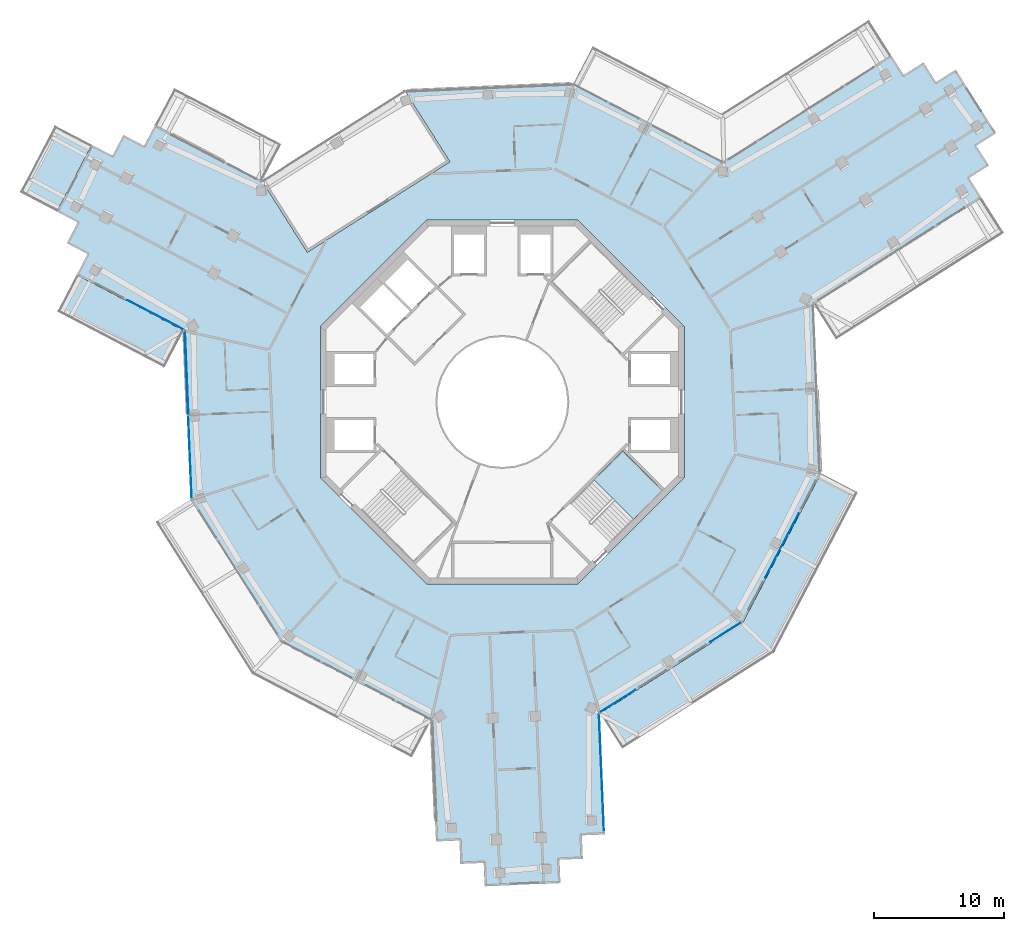
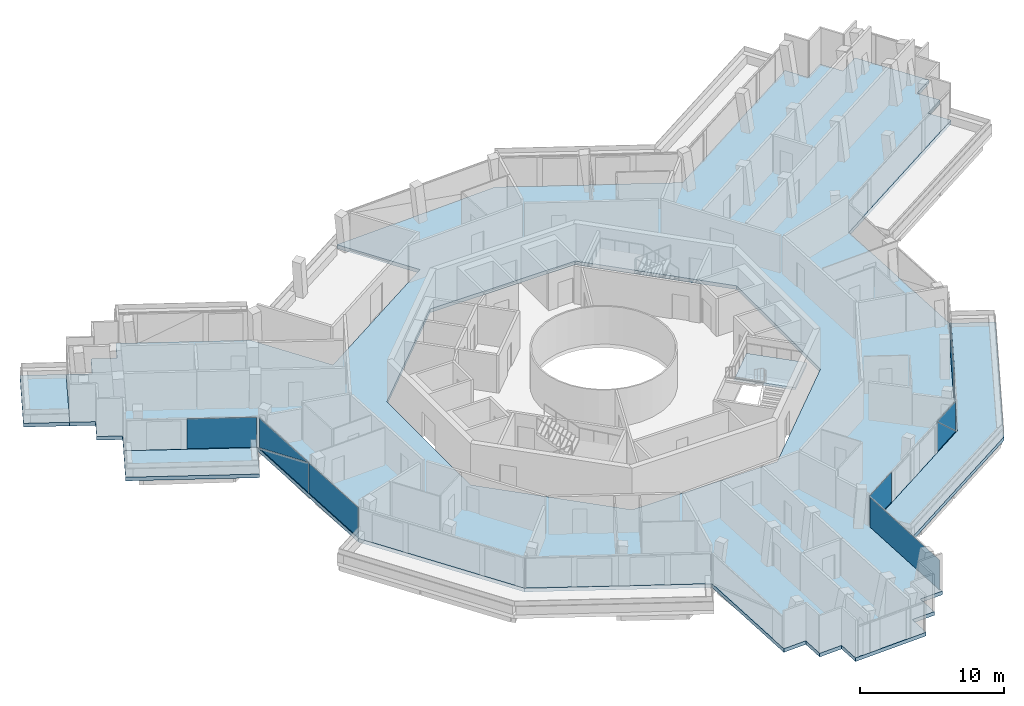
# One storey, part 11 of 23: 9 plates, 5 slabs, 6 elements without a shape of their own.
"""IFC4 building model written with IfcOpenShell, lengths in metres."""

import ifcopenshell
import ifcopenshell.guid

model = None  # the IFC model being written
_history = None  # IfcOwnerHistory: only IFC2X3 demands one
_inside = {}  # id of a spatial element -> (the spatial element, [elements in it])
_under = {}  # id of a project, library or spatial element -> (it, [spatial elements below it])
_declared = {}  # id of a project -> (the project, [libraries it declares])
_typed = {}  # id of a type object -> (the type object, [elements of that type])
_made_of = {}  # id of a material, layer set ... -> (it, [elements and type objects made of it])


def new_model(schema):
    """Start an empty IFC model of exactly this schema.

    Asked for "IFC4X3", IfcOpenShell would pick the latest addendum, in which some entities
    have other attributes; the version numbers below select the first issue.
    IFC2X3 requires an IfcOwnerHistory on every rooted entity: one is made here for all.
    """
    global model, _history
    if schema == "IFC4X3":
        model = ifcopenshell.file(schema_version=(4, 3, 0, 0))
    else:
        model = ifcopenshell.file(schema=schema)
    _inside.clear()
    _under.clear()
    _declared.clear()
    _typed.clear()
    _made_of.clear()
    _history = None
    if model.schema == "IFC2X3":
        org = make("IfcOrganization", Name="unknown")
        user = make(
            "IfcPersonAndOrganization",
            ThePerson=make("IfcPerson", FamilyName="unknown"),
            TheOrganization=org,
        )
        app = make(
            "IfcApplication",
            ApplicationDeveloper=org,
            Version="unknown",
            ApplicationFullName="unknown",
            ApplicationIdentifier="unknown",
        )
        _history = make(
            "IfcOwnerHistory",
            OwningUser=user,
            OwningApplication=app,
            ChangeAction="ADDED",
            CreationDate=0,
        )
    return model


def make(cls, **values):
    """One entity of the class cls with the attributes given. An attribute that is None is left unset."""
    return model.create_entity(
        cls, **{name: value for name, value in values.items() if value is not None}
    )


def rooted(cls, **values):
    """An entity with a GlobalId (a new one), such as an element, a storey or a relation."""
    return make(cls, GlobalId=ifcopenshell.guid.new(), OwnerHistory=_history, **values)


def si_unit(unit_type, name, prefix=None):
    """IfcSIUnit, for example si_unit("LENGTHUNIT", "METRE", prefix="MILLI")."""
    return make("IfcSIUnit", UnitType=unit_type, Prefix=prefix, Name=name)


def assignment(units):
    """IfcUnitAssignment: the units of a project."""
    return None if units is None else make("IfcUnitAssignment", Units=units)


def point(xyz):
    """IfcCartesianPoint."""
    return None if xyz is None else make("IfcCartesianPoint", Coordinates=xyz)


def direction(xyz):
    """IfcDirection."""
    return None if xyz is None else make("IfcDirection", DirectionRatios=xyz)


def frame(location, z_axis=None, x_axis=None):
    """IfcAxis2Placement3D, a coordinate frame: its origin and axes. An axis left out is left unset."""
    return make(
        "IfcAxis2Placement3D",
        Location=point(location),
        Axis=direction(z_axis),
        RefDirection=direction(x_axis),
    )


def frame_2d(location, x_axis=None):
    """IfcAxis2Placement2D, a coordinate frame in the plane: its origin and x axis."""
    return make(
        "IfcAxis2Placement2D", Location=point(location), RefDirection=direction(x_axis)
    )


def origin():
    """The frame at (0, 0, 0) with its axes left unset."""
    return frame((0.0, 0.0, 0.0))


def origin_2d():
    """The frame at (0, 0) in the plane with its x axis left unset."""
    return frame_2d((0.0, 0.0))


def place(relative_to, where):
    """IfcLocalPlacement: puts the frame where relative to a parent placement (None: the world)."""
    return make(
        "IfcLocalPlacement", PlacementRelTo=relative_to, RelativePlacement=where
    )


def context(
    kind, dimensions, precision=None, world=None, true_north=None, identifier=None
):
    """IfcGeometricRepresentationContext, for example the 3D "Model" context."""
    return make(
        "IfcGeometricRepresentationContext",
        ContextIdentifier=identifier,
        ContextType=kind,
        CoordinateSpaceDimension=dimensions,
        Precision=precision,
        WorldCoordinateSystem=world,
        TrueNorth=true_north,
    )


def subcontext(parent, identifier, kind, view, scale=None):
    """IfcGeometricRepresentationSubContext, for example "Body" below "Model"."""
    return make(
        "IfcGeometricRepresentationSubContext",
        ContextIdentifier=identifier,
        ContextType=kind,
        ParentContext=parent,
        TargetScale=scale,
        TargetView=view,
    )


def project(units=None, contexts=None):
    """IfcProject with its units and contexts."""
    return rooted(
        "IfcProject",
        Name="project",
        RepresentationContexts=contexts,
        UnitsInContext=assignment(units),
    )


def spatial(cls, under=None, at=None, **own):
    """A site, building, storey or space (cls), placed at a placement, below another one or the project."""
    s = rooted(cls, ObjectPlacement=at, **own)
    if under is not None:
        _under.setdefault(under.id(), (under, []))[1].append(s)
    return s


def polyline(points):
    """IfcPolyline through the points."""
    return make("IfcPolyline", Points=[point(p) for p in points])


def profile(cls, at=None, kind="AREA", **sizes):
    """A parametric profile (cls). Its sizes go by their IFC names, for example OverallWidth=200.0."""
    return make(cls, ProfileType=kind, Position=at, **sizes)


def rectangle(**sizes):
    """IfcRectangleProfileDef."""
    return profile("IfcRectangleProfileDef", **sizes)


def outline(outer, holes=None, kind="AREA"):
    """IfcArbitraryClosedProfileDef: a profile drawn as a closed curve; with holes, ...WithVoids."""
    if holes is None:
        return make("IfcArbitraryClosedProfileDef", ProfileType=kind, OuterCurve=outer)
    return make(
        "IfcArbitraryProfileDefWithVoids",
        ProfileType=kind,
        OuterCurve=outer,
        InnerCurves=holes,
    )


def extrude(swept, where, along, depth):
    """IfcExtrudedAreaSolid: the profile swept, set in the frame where, extruded along a direction by depth."""
    return make(
        "IfcExtrudedAreaSolid",
        SweptArea=swept,
        Position=where,
        ExtrudedDirection=direction(along),
        Depth=depth,
    )


def shape(context_of_items, identifier, shape_type, items):
    """IfcShapeRepresentation: the items that make up one representation, for example the "Body"."""
    return make(
        "IfcShapeRepresentation",
        ContextOfItems=context_of_items,
        RepresentationIdentifier=identifier,
        RepresentationType=shape_type,
        Items=items,
    )


def material(Name=None, Category=None):
    """IfcMaterial."""
    return make("IfcMaterial", Name=Name, Category=Category)


def layer(
    of_material, thickness, ventilated=None, Name=None, Category=None, Priority=None
):
    """IfcMaterialLayer: one layer of a wall or slab, of a material (None: an air gap)."""
    return make(
        "IfcMaterialLayer",
        Material=of_material,
        LayerThickness=thickness,
        IsVentilated=ventilated,
        Name=Name,
        Category=Category,
        Priority=Priority,
    )


def layer_set(layers, Name=None):
    """IfcMaterialLayerSet."""
    return make("IfcMaterialLayerSet", MaterialLayers=layers, LayerSetName=Name)


def made_of(thing, what):
    """Note that an element or type object is made of a material, layer set ...; save() writes the relation."""
    if what is not None:
        _made_of.setdefault(what.id(), (what, []))[1].append(thing)
    return thing


def type_object(cls, material=None, **own):
    """A type object (cls), such as IfcWallType, which elements share."""
    return made_of(rooted(cls, **own), material)


def element(
    cls,
    number,
    at=None,
    inside=None,
    cuts=None,
    type_object=None,
    material=None,
    context=None,
    identifier="Body",
    shape_type=None,
    held_by="IfcProductDefinitionShape",
    body=None,
    shapes=None,
    **own,
):
    """One element of the class cls, such as IfcWall. Its Tag is "e" and its number.

    at: its placement. inside: the storey or other place that contains it. cuts: it is an
    opening in that element (IfcRelVoidsElement). A single representation is given by context,
    identifier, shape_type and body (its items); several are given by shapes. held_by: the class
    of the entity that holds the representations. save() writes the other relations.
    """
    e = rooted(cls, Tag="e%d" % number, ObjectPlacement=at, **own)
    if body is not None:
        shapes = [shape(context, identifier, shape_type, body)]
    if shapes is not None:
        e.Representation = make(held_by, Representations=shapes)
    if inside is not None:
        _inside.setdefault(inside.id(), (inside, []))[1].append(e)
    if cuts is not None:
        rooted(
            "IfcRelVoidsElement", RelatingBuildingElement=cuts, RelatedOpeningElement=e
        )
    if type_object is not None:
        _typed.setdefault(type_object.id(), (type_object, []))[1].append(e)
    return made_of(e, material)


def aggregate(whole, parts):
    """IfcRelAggregates: a whole, such as a stair, and the parts it consists of."""
    return rooted("IfcRelAggregates", RelatingObject=whole, RelatedObjects=parts)


def save(model, path):
    """Write the relations noted so far, then the file.

    IfcRelAggregates (storeys below a building ...), IfcRelContainedInSpatialStructure (elements
    in a storey), IfcRelDefinesByType, IfcRelAssociatesMaterial and IfcRelDeclares: one each for
    every whole, place, type object, material and project.
    """
    for whole, parts in _under.values():
        aggregate(whole, parts)
    for where, things in _inside.values():
        rooted(
            "IfcRelContainedInSpatialStructure",
            RelatedElements=things,
            RelatingStructure=where,
        )
    for kind, things in _typed.values():
        rooted("IfcRelDefinesByType", RelatedObjects=things, RelatingType=kind)
    for what, things in _made_of.values():
        rooted("IfcRelAssociatesMaterial", RelatedObjects=things, RelatingMaterial=what)
    for by, libraries in _declared.values():
        rooted("IfcRelDeclares", RelatingContext=by, RelatedDefinitions=libraries)
    model.write(path)


model = new_model("IFC4")

# Units and contexts
model_context = context("Model", 3, precision=1e-05, world=origin(), true_north=direction((0.0, 1.0)))
body_context = subcontext(model_context, "Body", "Model", "MODEL_VIEW")
ifc_project = project(units=[si_unit("LENGTHUNIT", "METRE"), si_unit("AREAUNIT", "SQUARE_METRE"), si_unit("VOLUMEUNIT", "CUBIC_METRE"), si_unit("PLANEANGLEUNIT", "RADIAN"), si_unit("MASSUNIT", "GRAM", prefix="KILO")], contexts=[model_context])

# Site, building, storey
site_placement = place(None, origin())
site = spatial("IfcSite", under=ifc_project, at=site_placement, CompositionType="ELEMENT")
building_placement = place(site_placement, origin())
building = spatial("IfcBuilding", under=site, at=building_placement, Name="Verdalira Terraces Hotel", CompositionType="ELEMENT")
storey_placement = place(building_placement, frame((0.0, 0.0, 288.0)))
storey = spatial("IfcBuildingStorey", under=building, at=storey_placement, Name="L71", CompositionType="ELEMENT", Elevation=288.0)

# Slabs
ifc_material_1 = material(Name="Precast concrete C40/50", Category="concrete")
ifc_layer_1 = layer(ifc_material_1, 0.31005859375)
ifc_layer_set_1 = layer_set([ifc_layer_1], Name="Balcony deck 310")
slab_type_1 = type_object("IfcSlabType", Name="Balcony deck 310", PredefinedType="FLOOR", material=ifc_layer_set_1)
slab_1_placement = place(storey_placement, frame((0.0, 0.0, -0.310059)))
element("IfcSlab", 1, at=slab_1_placement, inside=storey, type_object=slab_type_1, Name="Balcony deck", PredefinedType="FLOOR", context=body_context, shape_type="SweptSolid", body=[
    extrude(outline(polyline([(-37.102539, 16.124268), (-34.266602, 14.641846), (-31.57959, 19.781738), (-34.415283, 21.264404), (-37.102539, 16.124268)])), origin(), (0.0, 0.0, 1.0), 0.310059),
])
slab_2_placement = place(storey_placement, frame((0.0, 0.0, -0.310059)))
element("IfcSlab", 2, at=slab_2_placement, inside=storey, type_object=slab_type_1, Name="Balcony deck", PredefinedType="FLOOR", context=body_context, shape_type="SweptSolid", body=[
    extrude(outline(polyline([(-25.991699, 2.642578), (-24.509277, 5.478516), (-32.744141, 9.783691), (-34.226807, 6.947754), (-25.991699, 2.642578)])), origin(), (0.0, 0.0, 1.0), 0.310059),
])
slab_3_placement = place(storey_placement, frame((0.0, 0.0, -0.310059)))
element("IfcSlab", 3, at=slab_3_placement, inside=storey, type_object=slab_type_1, Name="Balcony deck", PredefinedType="FLOOR", context=body_context, shape_type="SweptSolid", body=[
    extrude(outline(polyline([(27.345215, -6.960938), (24.509277, -5.478516), (18.486328, -16.999023), (7.51001, -23.964844), (9.224854, -26.666748), (20.925049, -19.241455), (27.345215, -6.960938)])), origin(), (0.0, 0.0, 1.0), 0.310059),
])

# Curtain wall, plates
ifc_material_2 = material(Name="Clear glass", Category="glass")
ifc_layer_2 = layer(ifc_material_2, 0.14990234375)
ifc_layer_set_2 = layer_set([ifc_layer_2], Name="CW1 curtain wall")
curtain_wall_type_1 = type_object("IfcCurtainWallType", Name="CW1 curtain wall", PredefinedType="NOTDEFINED", material=ifc_layer_set_2)
curtain_wall_1_placement = place(storey_placement, origin())
curtain_wall_1 = element("IfcCurtainWall", 4, at=curtain_wall_1_placement, inside=storey, type_object=curtain_wall_type_1, Name="CW1 curtain wall L71 edge 11", PredefinedType="NOTDEFINED")
ifc_material_3 = material(Name="Clear glass", Category="glass")
ifc_layer_3 = layer(ifc_material_3, 0.028076171875)
ifc_layer_set_3 = layer_set([ifc_layer_3], Name="CW1 glass unit 28")
plate_type_1 = type_object("IfcPlateType", Name="CW1 glass unit 28", PredefinedType="CURTAIN_PANEL", material=ifc_layer_set_3)
plate_1_placement = place(storey_placement, frame((-24.283691, 2.219971, 1.262451), z_axis=(-0.99912283, -0.041875654, 0.0), x_axis=(0.041875654, -0.99912283, 0.0)))
plate_1 = element("IfcPlate", 5, at=plate_1_placement, type_object=plate_type_1, Name="CW1 glass unit", PredefinedType="CURTAIN_PANEL", context=body_context, shape_type="SweptSolid", body=[
    extrude(outline(polyline([(-3.205078, -1.262451), (3.205078, -1.262451), (3.205078, 1.262451), (-3.205078, -1.262451)])), origin(), (0.0, 0.0, 1.0), 0.028076),
])
plate_2_placement = place(storey_placement, frame((-24.254639, 2.221191, 1.262451), z_axis=(-0.99912283, -0.041875654, 0.0), x_axis=(0.041875654, -0.99912283, 0.0)))
plate_2 = element("IfcPlate", 6, at=plate_2_placement, type_object=plate_type_1, Name="CW1 glass unit", PredefinedType="CURTAIN_PANEL", context=body_context, shape_type="SweptSolid", body=[
    extrude(outline(polyline([(-3.205078, -1.262451), (3.205078, 1.262451), (-3.205078, 1.262451), (-3.205078, -1.262451)])), origin(), (0.0, 0.0, 1.0), 0.028076),
])
plate_3_placement = place(storey_placement, frame((-24.027588, -4.224854, 0.0), z_axis=(0.0, 0.0, 1.0), x_axis=(0.041875654, -0.99912283, 0.0)))
plate_3 = element("IfcPlate", 7, at=plate_3_placement, type_object=plate_type_1, Name="CW1 glass unit", PredefinedType="CURTAIN_PANEL", context=body_context, shape_type="SweptSolid", body=[
    extrude(rectangle(XDim=6.369873, YDim=0.028076, at=origin_2d()), origin(), (0.0, 0.0, 1.0), 2.524902),
])
aggregate(curtain_wall_1, [plate_1, plate_2, plate_3])

curtain_wall_2_placement = place(storey_placement, origin())
curtain_wall_2 = element("IfcCurtainWall", 8, at=curtain_wall_2_placement, inside=storey, type_object=curtain_wall_type_1, Name="CW1 curtain wall L71 edge 25", PredefinedType="NOTDEFINED")
plate_4_placement = place(storey_placement, frame((8.867188, -23.014648, 0.0), z_axis=(0.0, 0.0, 1.0), x_axis=(0.844327926, 0.535826795, 0.0)))
plate_4 = element("IfcPlate", 9, at=plate_4_placement, type_object=plate_type_1, Name="CW1 glass unit", PredefinedType="CURTAIN_PANEL", context=body_context, shape_type="SweptSolid", body=[
    extrude(rectangle(XDim=3.189941, YDim=0.028076, at=origin_2d()), origin(), (0.0, 0.0, 1.0), 2.524902),
])
plate_5_placement = place(storey_placement, frame((17.176758, -17.724609, 1.262451), z_axis=(0.535826795, -0.844327926, 0.0), x_axis=(0.844327926, 0.535826795, 0.0)))
plate_5 = element("IfcPlate", 10, at=plate_5_placement, type_object=plate_type_1, Name="CW1 glass unit", PredefinedType="CURTAIN_PANEL", context=body_context, shape_type="SweptSolid", body=[
    extrude(outline(polyline([(-1.394287, -1.262451), (1.394287, -1.262451), (-1.394287, 1.262451), (-1.394287, -1.262451)])), origin(), (0.0, 0.0, 1.0), 0.028076),
])
plate_6_placement = place(storey_placement, frame((17.161133, -17.700195, 1.262451), z_axis=(0.535826795, -0.844327926, 0.0), x_axis=(0.844327926, 0.535826795, 0.0)))
plate_6 = element("IfcPlate", 11, at=plate_6_placement, type_object=plate_type_1, Name="CW1 glass unit", PredefinedType="CURTAIN_PANEL", context=body_context, shape_type="SweptSolid", body=[
    extrude(outline(polyline([(1.394287, -1.262451), (1.394287, 1.262451), (-1.394287, 1.262451), (1.394287, -1.262451)])), origin(), (0.0, 0.0, 1.0), 0.028076),
])
aggregate(curtain_wall_2, [plate_4, plate_5, plate_6])

# Curtain wall, plate
curtain_wall_3_placement = place(storey_placement, origin())
curtain_wall_3 = element("IfcCurtainWall", 12, at=curtain_wall_3_placement, inside=storey, type_object=curtain_wall_type_1, Name="CW1 curtain wall L71 edge 26", PredefinedType="NOTDEFINED")
plate_7_placement = place(storey_placement, frame((21.514648, -11.044434, 0.0), z_axis=(0.0, 0.0, 1.0), x_axis=(0.463296035, 0.886203579, 0.0)))
plate_7 = element("IfcPlate", 13, at=plate_7_placement, type_object=plate_type_1, Name="CW1 glass unit", PredefinedType="CURTAIN_PANEL", context=body_context, shape_type="SweptSolid", body=[
    extrude(rectangle(XDim=5.586182, YDim=0.028076, at=origin_2d()), origin(), (0.0, 0.0, 1.0), 2.524902),
])
aggregate(curtain_wall_3, [plate_7])

ifc_material_4 = material(Name="Clear glass", Category="glass")
ifc_layer_4 = layer(ifc_material_4, 0.14990234375)
ifc_layer_set_4 = layer_set([ifc_layer_4], Name="CW2 curtain wall")
curtain_wall_type_2 = type_object("IfcCurtainWallType", Name="CW2 curtain wall", PredefinedType="NOTDEFINED", material=ifc_layer_set_4)
curtain_wall_4_placement = place(storey_placement, origin())
curtain_wall_4 = element("IfcCurtainWall", 14, at=curtain_wall_4_placement, inside=storey, type_object=curtain_wall_type_2, Name="CW2 curtain wall L71 edge 10", PredefinedType="NOTDEFINED")
ifc_material_5 = material(Name="Clear glass", Category="glass")
ifc_layer_5 = layer(ifc_material_5, 0.031982421875)
ifc_layer_set_5 = layer_set([ifc_layer_5], Name="CW2 glass unit 32")
plate_type_2 = type_object("IfcPlateType", Name="CW2 glass unit 32", PredefinedType="CURTAIN_PANEL", material=ifc_layer_set_5)
plate_8_placement = place(storey_placement, frame((-26.682129, 6.698975, 0.0), z_axis=(0.0, 0.0, 1.0), x_axis=(0.886203579, -0.463296035, 0.0)))
plate_8 = element("IfcPlate", 15, at=plate_8_placement, type_object=plate_type_2, Name="CW2 glass unit", PredefinedType="CURTAIN_PANEL", context=body_context, shape_type="SweptSolid", body=[
    extrude(rectangle(XDim=4.842285, YDim=0.031982, at=origin_2d()), origin(), (0.0, 0.0, 1.0), 2.524902),
])
aggregate(curtain_wall_4, [plate_8])

curtain_wall_5_placement = place(storey_placement, origin())
curtain_wall_5 = element("IfcCurtainWall", 16, at=curtain_wall_5_placement, inside=storey, type_object=curtain_wall_type_2, Name="CW2 curtain wall L71 edge 24", PredefinedType="NOTDEFINED")
plate_9_placement = place(storey_placement, frame((7.626709, -28.535156, 0.0), z_axis=(0.0, 0.0, 1.0), x_axis=(-0.041875654, 0.99912283, 0.0)))
plate_9 = element("IfcPlate", 17, at=plate_9_placement, type_object=plate_type_2, Name="CW2 glass unit", PredefinedType="CURTAIN_PANEL", context=body_context, shape_type="SweptSolid", body=[
    extrude(rectangle(XDim=9.002441, YDim=0.031982, at=origin_2d()), origin(), (0.0, 0.0, 1.0), 2.524902),
])
aggregate(curtain_wall_5, [plate_9])

# Stair, slab
ifc_material_6 = material(Name="Concrete C40", Category="concrete")
stair_type = type_object("IfcStairType", Name="Core stair 20 risers 2125 mm wide", PredefinedType="HALF_TURN_STAIR", material=ifc_material_6)
stair_placement = place(storey_placement, origin())
stair = element("IfcStair", 18, at=stair_placement, inside=storey, type_object=stair_type, Name="L71 Exit stair ST3", PredefinedType="HALF_TURN_STAIR")
ifc_material_7 = material(Name="Concrete C40", Category="concrete")
ifc_layer_6 = layer(ifc_material_7, 0.199951171875)
ifc_layer_set_6 = layer_set([ifc_layer_6], Name="Core stair landing 200 mm")
slab_type_2 = type_object("IfcSlabType", Name="Core stair landing 200 mm", PredefinedType="LANDING", material=ifc_layer_set_6)
slab_4_placement = place(storey_placement, frame((0.0, 0.0, 1.550049)))
slab_4 = element("IfcSlab", 19, at=slab_4_placement, type_object=slab_type_2, Name="ST3 landing 1", PredefinedType="LANDING", context=body_context, shape_type="SweptSolid", body=[
    extrude(outline(polyline([(10.107666, -9.054932), (12.339111, -6.823486), (9.263184, -3.747559), (7.031738, -5.979004), (10.107666, -9.054932)])), origin(), (0.0, 0.0, 1.0), 0.199951),
])
aggregate(stair, [slab_4])

# Slab
ifc_material_8 = material(Name="Concrete C40", Category="concrete")
ifc_layer_7 = layer(ifc_material_8, 0.31005859375)
ifc_layer_set_7 = layer_set([ifc_layer_7], Name="Floor slab 310 C40")
slab_type_3 = type_object("IfcSlabType", Name="Floor slab 310 C40", PredefinedType="FLOOR", material=ifc_layer_set_7)
slab_5_placement = place(storey_placement, frame((0.0, 0.0, -0.310059)))
element("IfcSlab", 20, at=slab_5_placement, inside=storey, type_object=slab_type_3, Name="Floor slab L71", PredefinedType="FLOOR", context=body_context, shape_type="SweptSolid", body=[
    extrude(outline(polyline([(16.999023, 18.486328), (5.478516, 24.509277), (-7.509521, 23.964844), (-4.026611, 18.476562), (-15.003662, 11.510254), (-18.487061, 16.999268), (-18.486816, 16.999512), (-26.721191, 21.304199), (-27.55542, 19.708984), (-29.150391, 20.542969), (-29.984375, 18.947754), (-31.57959, 19.781738), (-34.266602, 14.641846), (-32.671387, 13.807861), (-33.505371, 12.212646), (-31.910156, 11.378662), (-32.744141, 9.783691), (-24.509277, 5.478516), (-23.964844, -7.51001), (-16.999023, -18.486328), (-5.478516, -24.509277), (-5.089355, -33.793457), (-3.291016, -33.718018), (-3.215576, -35.516602), (-1.416992, -35.441162), (-1.341797, -37.239502), (4.453125, -36.996582), (4.377686, -35.198242), (6.17627, -35.122803), (6.10083, -33.324463), (7.899414, -33.249023), (7.51001, -23.964844), (18.486328, -16.999023), (24.509277, -5.478516), (23.964844, 7.51001), (36.876709, 15.704102), (35.912109, 17.224121), (37.431885, 18.188477), (36.467285, 19.708252), (37.987305, 20.672607), (34.879395, 25.569824), (33.359619, 24.605469), (32.395264, 26.125244), (30.875488, 25.160645), (29.910889, 26.68042), (16.999023, 18.486328)]), holes=[polyline([(5.799072, 14.0), (14.0, 5.799072), (14.0, -5.799072), (5.799072, -14.0), (-5.799072, -14.0), (-14.0, -5.799072), (-14.0, 5.799072), (-5.799072, 14.0), (5.799072, 14.0)])]), origin(), (0.0, 0.0, 1.0), 0.310059),
])

save(model, "model.ifc")
